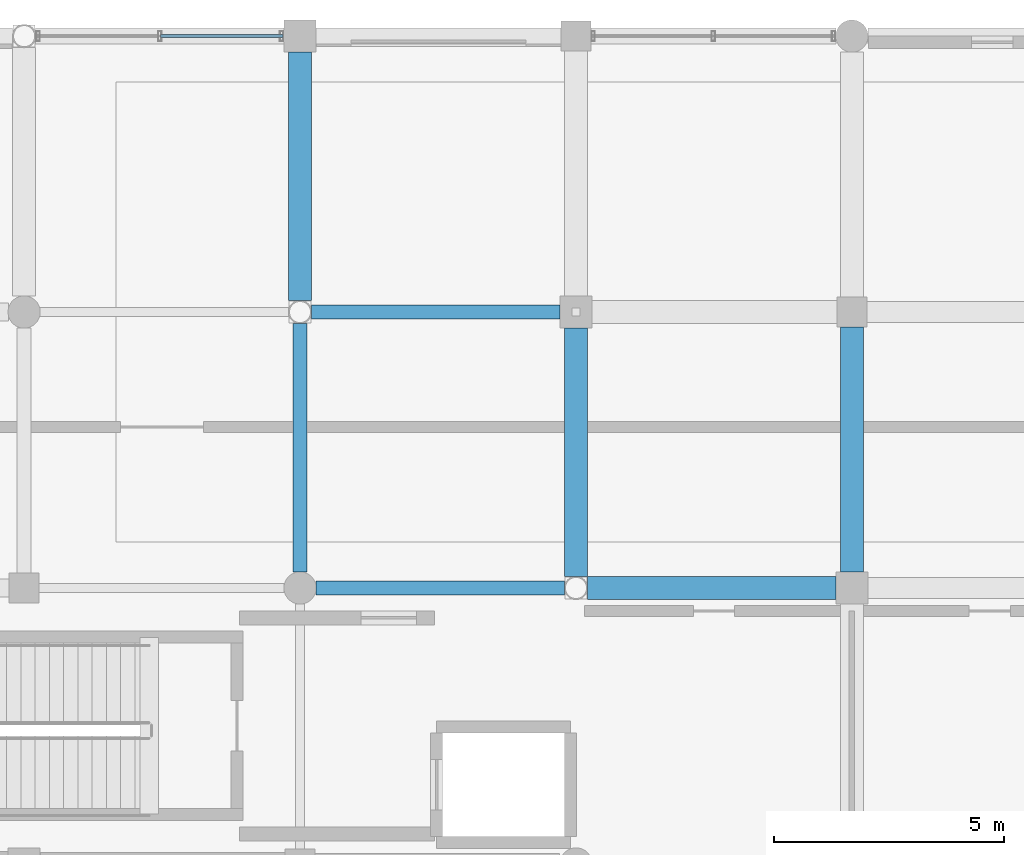
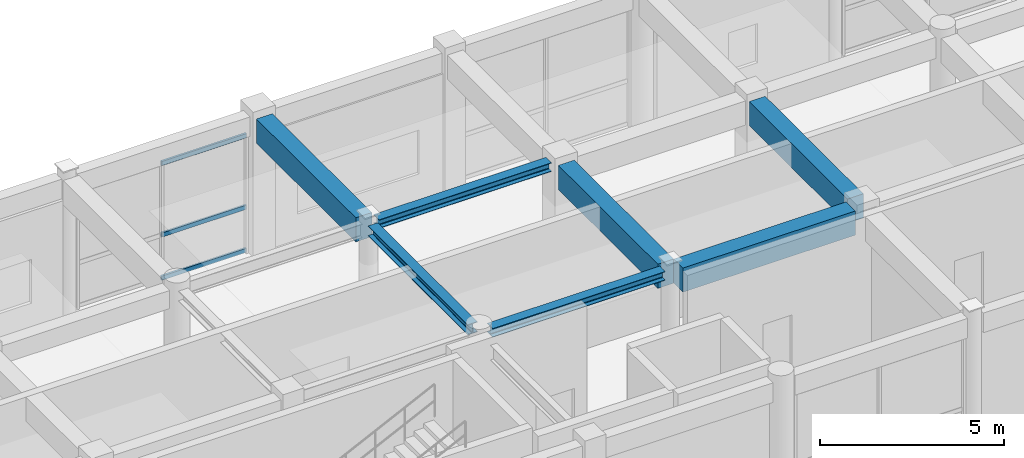
# One storey, part 54 of 112: 7 beams, 3 members, 1 element without a shape of its own.
"""IFC4 building model written with IfcOpenShell, lengths in metres."""

from ifc_helpers import new_model, si_unit, direction, frame, origin, origin_2d, place, context, subcontext, project, spatial, rectangle, hollow_rectangle, i_section, extrude, material, material_profile, profile_set, type_object, element, aggregate, save


model = new_model("IFC4")

# Units and contexts
model_context = context("Model", 3, precision=1e-05, world=origin(), true_north=direction((0.0, 1.0)))
body_context = subcontext(model_context, "Body", "Model", "MODEL_VIEW")
ifc_project = project(units=[si_unit("LENGTHUNIT", "METRE"), si_unit("AREAUNIT", "SQUARE_METRE"), si_unit("VOLUMEUNIT", "CUBIC_METRE"), si_unit("PLANEANGLEUNIT", "RADIAN"), si_unit("MASSUNIT", "GRAM", prefix="KILO"), si_unit("THERMODYNAMICTEMPERATUREUNIT", "KELVIN"), si_unit("POWERUNIT", "WATT")], contexts=[model_context])

# Site, building, storey
site_placement = place(None, origin())
site = spatial("IfcSite", under=ifc_project, at=site_placement, CompositionType="ELEMENT")
building_placement = place(site_placement, origin())
building = spatial("IfcBuilding", under=site, at=building_placement, Name="Phaisarnlok Congress Hotel", CompositionType="ELEMENT")
storey_placement = place(building_placement, frame((0.0, 0.0, 19.800048828125)))
storey = spatial("IfcBuildingStorey", under=building, at=storey_placement, Name="L04", CompositionType="ELEMENT", Elevation=19.800048828125)

# Beams
ifc_material_1 = material(Name="Concrete C40/50", Category="concrete")
ifc_material_profile_1 = material_profile(ifc_material_1, rectangle(XDim=0.5, YDim=0.800048828125, at=origin_2d()), Name="RC 500x800")
ifc_profile_set_1 = profile_set([ifc_material_profile_1], Name="Concrete C40/50")
beam_type_1 = type_object("IfcBeamType", Name="BM-RC-500x800", PredefinedType="BEAM", material=ifc_profile_set_1)
for number, where, z_axis, x_axis, name in (
    (1, (114.0, 120.2490234375, 4.14990234375), (0.0, 1.0, 0.0), (-1.0, 0.0, 0.0), "Beam B-04"),
    (2, (120.2490234375, 114.0, 4.14990234375), (1.0, 0.0, 0.0), (0.0, 1.0, 0.0), "Beam B-04"),
    (3, (120.0, 114.2490234375, 4.14990234375), (0.0, 1.0, 0.0), (-1.0, 0.0, 0.0), "Beam B-04"),
):
    element("IfcBeam", number, at=place(storey_placement, frame(where, z_axis=z_axis, x_axis=x_axis)), inside=storey, type_object=beam_type_1, Name=name, PredefinedType="BEAM", context=body_context, shape_type="SweptSolid", body=[
        extrude(rectangle(XDim=0.5, YDim=0.800048828125, at=origin_2d()), origin(), (0.0, 0.0, 1.0), 5.406005859375),
    ])
beam_1_placement = place(storey_placement, frame((126.0, 114.344970703125, 4.14990234375), z_axis=(0.0, 1.0, 0.0), x_axis=(-1.0, 0.0, 0.0)))
element("IfcBeam", 4, at=beam_1_placement, inside=storey, type_object=beam_type_1, Name="Beam B-04", PredefinedType="BEAM", context=body_context, shape_type="SweptSolid", body=[
    extrude(rectangle(XDim=0.5, YDim=0.800048828125, at=origin_2d()), origin(), (0.0, 0.0, 1.0), 5.3349609375),
])
ifc_material_2 = material(Name="Steel S355", Category="steel")
ifc_material_profile_2 = material_profile(ifc_material_2, i_section(OverallWidth=0.300048828125, OverallDepth=0.2900390625, WebThickness=0.008544921875, FlangeThickness=0.013916015625, FilletRadius=0.027099609375, at=origin_2d()), Name="HEA 300")
ifc_profile_set_2 = profile_set([ifc_material_profile_2], Name="Steel S355")
beam_type_2 = type_object("IfcBeamType", Name="BM-STL-HEA300", PredefinedType="BEAM", material=ifc_profile_set_2)
for number, where, z_axis, x_axis, name in (
    (5, (114.344970703125, 114.0, 4.405029296875), (1.0, 0.0, 0.0), (0.0, 1.0, 0.0), "Beam SB-05"),
    (6, (114.2490234375, 120.0, 4.405029296875), (1.0, 0.0, 0.0), (0.0, 1.0, 0.0), "Beam SB-05"),
):
    element("IfcBeam", number, at=place(storey_placement, frame(where, z_axis=z_axis, x_axis=x_axis)), inside=storey, type_object=beam_type_2, Name=name, PredefinedType="BEAM", context=body_context, shape_type="SweptSolid", body=[
        extrude(i_section(OverallWidth=0.300048828125, OverallDepth=0.2900390625, WebThickness=0.008544921875, FlangeThickness=0.013916015625, FilletRadius=0.027099609375, at=origin_2d()), origin(), (0.0, 0.0, 1.0), 5.406005859375),
    ])
ifc_material_profile_3 = material_profile(ifc_material_2, i_section(OverallWidth=0.300048828125, OverallDepth=0.340087890625, WebThickness=0.011962890625, FlangeThickness=0.021484375, FilletRadius=0.027099609375, at=origin_2d()), Name="HEB 340")
ifc_profile_set_3 = profile_set([ifc_material_profile_3], Name="Steel S355")
beam_type_3 = type_object("IfcBeamType", Name="BM-STL-HEB340", PredefinedType="BEAM", material=ifc_profile_set_3)
beam_2_placement = place(storey_placement, frame((114.0, 114.344970703125, 4.3798828125), z_axis=(0.0, 1.0, 0.0), x_axis=(-1.0, 0.0, 0.0)))
element("IfcBeam", 7, at=beam_2_placement, inside=storey, type_object=beam_type_3, Name="Beam SB-07", PredefinedType="BEAM", context=body_context, shape_type="SweptSolid", body=[
    extrude(i_section(OverallWidth=0.300048828125, OverallDepth=0.340087890625, WebThickness=0.011962890625, FlangeThickness=0.021484375, FilletRadius=0.027099609375, at=origin_2d()), origin(), (0.0, 0.0, 1.0), 5.406005859375),
])

# Curtain wall, members
ifc_material_3 = material(Name="Thermally Broken Unitised Aluminium & Low-E Glazing", Category="aluminium")
curtain_wall_type = type_object("IfcCurtainWallType", Name="CW-UNIT-34", PredefinedType="NOTDEFINED", material=ifc_material_3)
curtain_wall_placement = place(storey_placement, origin())
curtain_wall = element("IfcCurtainWall", 8, at=curtain_wall_placement, inside=storey, type_object=curtain_wall_type, Name="Unitised curtain wall CW-34 (L04)", PredefinedType="NOTDEFINED")
ifc_material_4 = material(Name="Anodised Aluminium Alloy 6063-T6", Category="aluminium")
ifc_material_profile_4 = material_profile(ifc_material_4, hollow_rectangle(XDim=0.06494140625, YDim=0.139892578125, WallThickness=0.00390625, at=origin_2d()), Name="ALU-T 65x140x4")
ifc_profile_set_4 = profile_set([ifc_material_profile_4], Name="Anodised Aluminium Alloy 6063-T6")
member_type = type_object("IfcMemberType", Name="CWT-150", PredefinedType="USERDEFINED", material=ifc_profile_set_4)
member_1_placement = place(storey_placement, frame((113.625, 126.0, 0.050048828125), z_axis=(-1.0, 0.0, 0.0), x_axis=(0.0, -1.0, 0.0)))
member_1 = element("IfcMember", 9, at=member_1_placement, type_object=member_type, Name="Curtain wall transom CWT-01", ObjectType="TRANSOM", PredefinedType="USERDEFINED", context=body_context, shape_type="SweptSolid", body=[
    extrude(hollow_rectangle(XDim=0.06494140625, YDim=0.139892578125, WallThickness=0.00390625, at=origin_2d()), origin(), (0.0, 0.0, 1.0), 2.657958984375),
])
member_2_placement = place(storey_placement, frame((113.625, 126.0, 1.48193359375), z_axis=(-1.0, 0.0, 0.0), x_axis=(0.0, -1.0, 0.0)))
member_2 = element("IfcMember", 10, at=member_2_placement, type_object=member_type, Name="Curtain wall transom CWT-01", ObjectType="TRANSOM", PredefinedType="USERDEFINED", context=body_context, shape_type="SweptSolid", body=[
    extrude(hollow_rectangle(XDim=0.06494140625, YDim=0.139892578125, WallThickness=0.00390625, at=origin_2d()), origin(), (0.0, 0.0, 1.0), 2.657958984375),
])
member_3_placement = place(storey_placement, frame((113.625, 126.0, 3.849853515625), z_axis=(-1.0, 0.0, 0.0), x_axis=(0.0, -1.0, 0.0)))
member_3 = element("IfcMember", 11, at=member_3_placement, type_object=member_type, Name="Curtain wall transom CWT-01", ObjectType="TRANSOM", PredefinedType="USERDEFINED", context=body_context, shape_type="SweptSolid", body=[
    extrude(hollow_rectangle(XDim=0.06494140625, YDim=0.139892578125, WallThickness=0.00390625, at=origin_2d()), origin(), (0.0, 0.0, 1.0), 2.657958984375),
])
aggregate(curtain_wall, [member_1, member_2, member_3])

save(model, "model.ifc")
